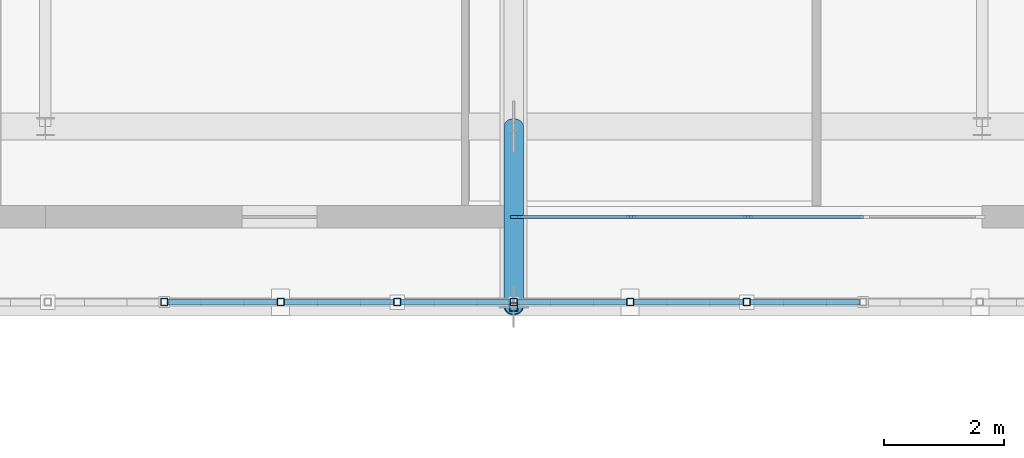
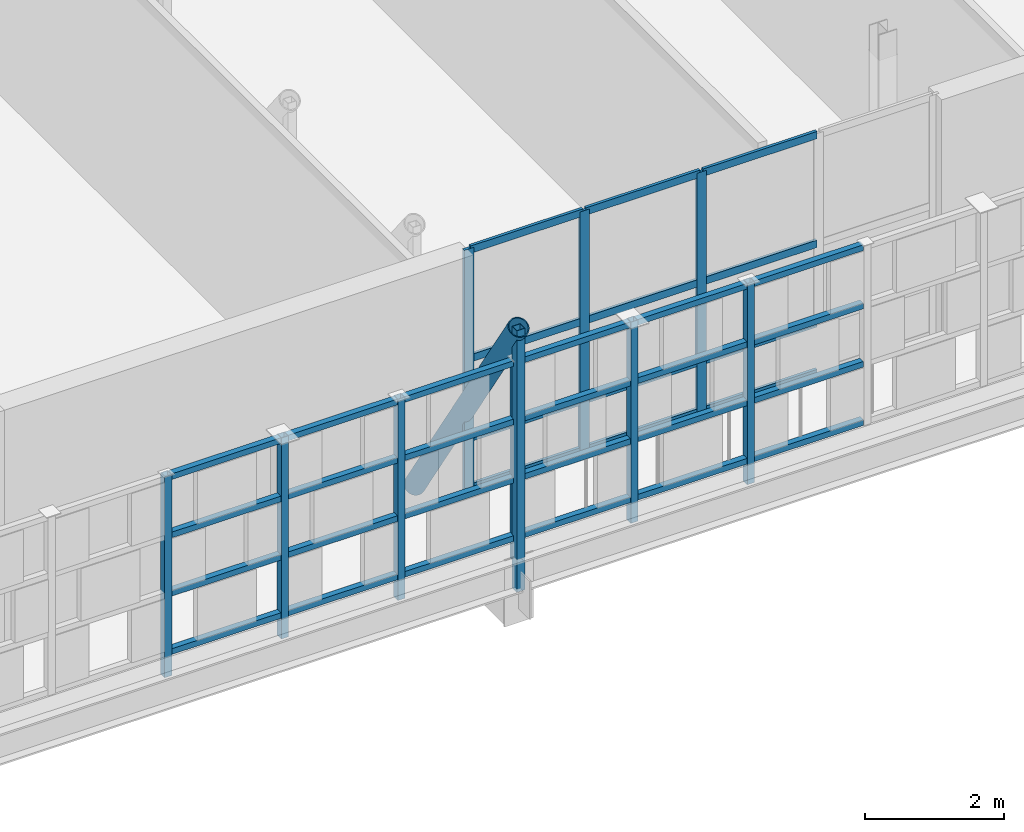
# One storey, part 23 of 89: 47 members, 1 element without a shape of its own.
"""IFC4 building model written with IfcOpenShell, lengths in metres."""

import ifcopenshell
import ifcopenshell.guid

model = None  # the IFC model being written
_history = None  # IfcOwnerHistory: only IFC2X3 demands one
_inside = {}  # id of a spatial element -> (the spatial element, [elements in it])
_under = {}  # id of a project, library or spatial element -> (it, [spatial elements below it])
_declared = {}  # id of a project -> (the project, [libraries it declares])
_typed = {}  # id of a type object -> (the type object, [elements of that type])
_made_of = {}  # id of a material, layer set ... -> (it, [elements and type objects made of it])


def new_model(schema):
    """Start an empty IFC model of exactly this schema.

    Asked for "IFC4X3", IfcOpenShell would pick the latest addendum, in which some entities
    have other attributes; the version numbers below select the first issue.
    IFC2X3 requires an IfcOwnerHistory on every rooted entity: one is made here for all.
    """
    global model, _history
    if schema == "IFC4X3":
        model = ifcopenshell.file(schema_version=(4, 3, 0, 0))
    else:
        model = ifcopenshell.file(schema=schema)
    _inside.clear()
    _under.clear()
    _declared.clear()
    _typed.clear()
    _made_of.clear()
    _history = None
    if model.schema == "IFC2X3":
        org = make("IfcOrganization", Name="unknown")
        user = make(
            "IfcPersonAndOrganization",
            ThePerson=make("IfcPerson", FamilyName="unknown"),
            TheOrganization=org,
        )
        app = make(
            "IfcApplication",
            ApplicationDeveloper=org,
            Version="unknown",
            ApplicationFullName="unknown",
            ApplicationIdentifier="unknown",
        )
        _history = make(
            "IfcOwnerHistory",
            OwningUser=user,
            OwningApplication=app,
            ChangeAction="ADDED",
            CreationDate=0,
        )
    return model


def make(cls, **values):
    """One entity of the class cls with the attributes given. An attribute that is None is left unset."""
    return model.create_entity(
        cls, **{name: value for name, value in values.items() if value is not None}
    )


def rooted(cls, **values):
    """An entity with a GlobalId (a new one), such as an element, a storey or a relation."""
    return make(cls, GlobalId=ifcopenshell.guid.new(), OwnerHistory=_history, **values)


def si_unit(unit_type, name, prefix=None):
    """IfcSIUnit, for example si_unit("LENGTHUNIT", "METRE", prefix="MILLI")."""
    return make("IfcSIUnit", UnitType=unit_type, Prefix=prefix, Name=name)


def assignment(units):
    """IfcUnitAssignment: the units of a project."""
    return None if units is None else make("IfcUnitAssignment", Units=units)


def point(xyz):
    """IfcCartesianPoint."""
    return None if xyz is None else make("IfcCartesianPoint", Coordinates=xyz)


def direction(xyz):
    """IfcDirection."""
    return None if xyz is None else make("IfcDirection", DirectionRatios=xyz)


def frame(location, z_axis=None, x_axis=None):
    """IfcAxis2Placement3D, a coordinate frame: its origin and axes. An axis left out is left unset."""
    return make(
        "IfcAxis2Placement3D",
        Location=point(location),
        Axis=direction(z_axis),
        RefDirection=direction(x_axis),
    )


def frame_2d(location, x_axis=None):
    """IfcAxis2Placement2D, a coordinate frame in the plane: its origin and x axis."""
    return make(
        "IfcAxis2Placement2D", Location=point(location), RefDirection=direction(x_axis)
    )


def origin():
    """The frame at (0, 0, 0) with its axes left unset."""
    return frame((0.0, 0.0, 0.0))


def origin_2d():
    """The frame at (0, 0) in the plane with its x axis left unset."""
    return frame_2d((0.0, 0.0))


def place(relative_to, where):
    """IfcLocalPlacement: puts the frame where relative to a parent placement (None: the world)."""
    return make(
        "IfcLocalPlacement", PlacementRelTo=relative_to, RelativePlacement=where
    )


def context(
    kind, dimensions, precision=None, world=None, true_north=None, identifier=None
):
    """IfcGeometricRepresentationContext, for example the 3D "Model" context."""
    return make(
        "IfcGeometricRepresentationContext",
        ContextIdentifier=identifier,
        ContextType=kind,
        CoordinateSpaceDimension=dimensions,
        Precision=precision,
        WorldCoordinateSystem=world,
        TrueNorth=true_north,
    )


def subcontext(parent, identifier, kind, view, scale=None):
    """IfcGeometricRepresentationSubContext, for example "Body" below "Model"."""
    return make(
        "IfcGeometricRepresentationSubContext",
        ContextIdentifier=identifier,
        ContextType=kind,
        ParentContext=parent,
        TargetScale=scale,
        TargetView=view,
    )


def project(units=None, contexts=None):
    """IfcProject with its units and contexts."""
    return rooted(
        "IfcProject",
        Name="project",
        RepresentationContexts=contexts,
        UnitsInContext=assignment(units),
    )


def spatial(cls, under=None, at=None, **own):
    """A site, building, storey or space (cls), placed at a placement, below another one or the project."""
    s = rooted(cls, ObjectPlacement=at, **own)
    if under is not None:
        _under.setdefault(under.id(), (under, []))[1].append(s)
    return s


def profile(cls, at=None, kind="AREA", **sizes):
    """A parametric profile (cls). Its sizes go by their IFC names, for example OverallWidth=200.0."""
    return make(cls, ProfileType=kind, Position=at, **sizes)


def rectangle(**sizes):
    """IfcRectangleProfileDef."""
    return profile("IfcRectangleProfileDef", **sizes)


def hollow_rectangle(**sizes):
    """IfcRectangleHollowProfileDef."""
    return profile("IfcRectangleHollowProfileDef", **sizes)


def hollow_circle(**sizes):
    """IfcCircleHollowProfileDef."""
    return profile("IfcCircleHollowProfileDef", **sizes)


def extrude(swept, where, along, depth):
    """IfcExtrudedAreaSolid: the profile swept, set in the frame where, extruded along a direction by depth."""
    return make(
        "IfcExtrudedAreaSolid",
        SweptArea=swept,
        Position=where,
        ExtrudedDirection=direction(along),
        Depth=depth,
    )


def shape(context_of_items, identifier, shape_type, items):
    """IfcShapeRepresentation: the items that make up one representation, for example the "Body"."""
    return make(
        "IfcShapeRepresentation",
        ContextOfItems=context_of_items,
        RepresentationIdentifier=identifier,
        RepresentationType=shape_type,
        Items=items,
    )


def material(Name=None, Category=None):
    """IfcMaterial."""
    return make("IfcMaterial", Name=Name, Category=Category)


def layer(
    of_material, thickness, ventilated=None, Name=None, Category=None, Priority=None
):
    """IfcMaterialLayer: one layer of a wall or slab, of a material (None: an air gap)."""
    return make(
        "IfcMaterialLayer",
        Material=of_material,
        LayerThickness=thickness,
        IsVentilated=ventilated,
        Name=Name,
        Category=Category,
        Priority=Priority,
    )


def layer_set(layers, Name=None):
    """IfcMaterialLayerSet."""
    return make("IfcMaterialLayerSet", MaterialLayers=layers, LayerSetName=Name)


def material_profile(
    of_material, cross_section, Name=None, Category=None, Priority=None
):
    """IfcMaterialProfile: a cross section and its material."""
    return make(
        "IfcMaterialProfile",
        Name=Name,
        Material=of_material,
        Profile=cross_section,
        Priority=Priority,
        Category=Category,
    )


def profile_set(profiles, Name=None, composite=None):
    """IfcMaterialProfileSet."""
    return make(
        "IfcMaterialProfileSet",
        Name=Name,
        MaterialProfiles=profiles,
        CompositeProfile=composite,
    )


def made_of(thing, what):
    """Note that an element or type object is made of a material, layer set ...; save() writes the relation."""
    if what is not None:
        _made_of.setdefault(what.id(), (what, []))[1].append(thing)
    return thing


def type_object(cls, material=None, **own):
    """A type object (cls), such as IfcWallType, which elements share."""
    return made_of(rooted(cls, **own), material)


def element(
    cls,
    number,
    at=None,
    inside=None,
    cuts=None,
    type_object=None,
    material=None,
    context=None,
    identifier="Body",
    shape_type=None,
    held_by="IfcProductDefinitionShape",
    body=None,
    shapes=None,
    **own,
):
    """One element of the class cls, such as IfcWall. Its Tag is "e" and its number.

    at: its placement. inside: the storey or other place that contains it. cuts: it is an
    opening in that element (IfcRelVoidsElement). A single representation is given by context,
    identifier, shape_type and body (its items); several are given by shapes. held_by: the class
    of the entity that holds the representations. save() writes the other relations.
    """
    e = rooted(cls, Tag="e%d" % number, ObjectPlacement=at, **own)
    if body is not None:
        shapes = [shape(context, identifier, shape_type, body)]
    if shapes is not None:
        e.Representation = make(held_by, Representations=shapes)
    if inside is not None:
        _inside.setdefault(inside.id(), (inside, []))[1].append(e)
    if cuts is not None:
        rooted(
            "IfcRelVoidsElement", RelatingBuildingElement=cuts, RelatedOpeningElement=e
        )
    if type_object is not None:
        _typed.setdefault(type_object.id(), (type_object, []))[1].append(e)
    return made_of(e, material)


def aggregate(whole, parts):
    """IfcRelAggregates: a whole, such as a stair, and the parts it consists of."""
    return rooted("IfcRelAggregates", RelatingObject=whole, RelatedObjects=parts)


def save(model, path):
    """Write the relations noted so far, then the file.

    IfcRelAggregates (storeys below a building ...), IfcRelContainedInSpatialStructure (elements
    in a storey), IfcRelDefinesByType, IfcRelAssociatesMaterial and IfcRelDeclares: one each for
    every whole, place, type object, material and project.
    """
    for whole, parts in _under.values():
        aggregate(whole, parts)
    for where, things in _inside.values():
        rooted(
            "IfcRelContainedInSpatialStructure",
            RelatedElements=things,
            RelatingStructure=where,
        )
    for kind, things in _typed.values():
        rooted("IfcRelDefinesByType", RelatedObjects=things, RelatingType=kind)
    for what, things in _made_of.values():
        rooted("IfcRelAssociatesMaterial", RelatedObjects=things, RelatingMaterial=what)
    for by, libraries in _declared.values():
        rooted("IfcRelDeclares", RelatingContext=by, RelatedDefinitions=libraries)
    model.write(path)


model = new_model("IFC4")

# Units and contexts
model_context = context("Model", 3, precision=1e-05, world=origin(), true_north=direction((0.0, 1.0)))
body_context = subcontext(model_context, "Body", "Model", "MODEL_VIEW")
ifc_project = project(units=[si_unit("LENGTHUNIT", "METRE"), si_unit("AREAUNIT", "SQUARE_METRE"), si_unit("VOLUMEUNIT", "CUBIC_METRE"), si_unit("PLANEANGLEUNIT", "RADIAN"), si_unit("MASSUNIT", "GRAM", prefix="KILO")], contexts=[model_context])

# Site, building, storey
site_placement = place(None, origin())
site = spatial("IfcSite", under=ifc_project, at=site_placement, CompositionType="ELEMENT")
building_placement = place(site_placement, origin())
building = spatial("IfcBuilding", under=site, at=building_placement, Name="Celorna Specialist Clinic", CompositionType="ELEMENT")
storey_placement = place(building_placement, frame((0.0, 0.0, 14.10009765625)))
storey = spatial("IfcBuildingStorey", under=building, at=storey_placement, Name="L03", CompositionType="ELEMENT", Elevation=14.10009765625)

# Members
ifc_material_1 = material(Name="Steel S355", Category="steel")
ifc_material_profile_1 = material_profile(ifc_material_1, hollow_circle(Radius=0.161865234375, WallThickness=0.01611328125, at=origin_2d()), Name="CHS 323.9x16")
ifc_profile_set_1 = profile_set([ifc_material_profile_1], Name="Steel S355")
member_type_1 = type_object("IfcMemberType", Name="MB-05", PredefinedType="BRACE", material=ifc_profile_set_1)
member_1_placement = place(storey_placement, frame((70.199951171875, 5.699951171875, 3.764892578125), z_axis=(0.0, 0.546259644245, -0.837615903066), x_axis=(-1.0, 0.0, 0.0)))
element("IfcMember", 1, at=member_1_placement, inside=storey, type_object=member_type_1, Name="Cantilever Pratt truss web diagonal WP-044-WP-050", PredefinedType="BRACE", context=body_context, shape_type="SweptSolid", body=[
    extrude(hollow_circle(Radius=0.161865234375, WallThickness=0.01611328125, at=origin_2d()), origin(), (0.0, 0.0, 1.0), 5.491943359375),
])
ifc_material_profile_2 = material_profile(ifc_material_1, hollow_rectangle(XDim=0.139892578125, YDim=0.139892578125, WallThickness=0.008056640625, at=origin_2d()), Name="SHS 140x140x8")
ifc_profile_set_2 = profile_set([ifc_material_profile_2], Name="Steel S355")
member_type_2 = type_object("IfcMemberType", Name="MB-10", PredefinedType="CHORD", material=ifc_profile_set_2)
member_2_placement = place(storey_placement, frame((70.199951171875, 5.699951171875, -0.835205078125), z_axis=(0.0, 0.0, 1.0), x_axis=(1.0, 0.0, 0.0)))
element("IfcMember", 2, at=member_2_placement, inside=storey, type_object=member_type_2, Name="Cantilever Pratt truss vertical post WP-039-WP-044", PredefinedType="CHORD", context=body_context, shape_type="SweptSolid", body=[
    extrude(hollow_rectangle(XDim=0.139892578125, YDim=0.139892578125, WallThickness=0.008056640625, at=origin_2d()), origin(), (0.0, 0.0, 1.0), 4.60009765625),
])
ifc_material_profile_3 = material_profile(ifc_material_1, hollow_rectangle(XDim=0.1201171875, YDim=0.1201171875, WallThickness=0.008056640625, at=origin_2d()), Name="SHS 120x120x8")
ifc_profile_set_3 = profile_set([ifc_material_profile_3], Name="Steel S355")
member_type_3 = type_object("IfcMemberType", Name="MB-11", PredefinedType="STUD", material=ifc_profile_set_3)
for number, where, z_axis, x_axis, name in (
    (3, (64.3798828125, 5.780029296875, -0.360107421875), (0.0, 0.0, 1.0), (1.0, 0.0, 0.0), "Perforated screen steel post #87"),
    (4, (66.320068359375, 5.780029296875, -0.360107421875), (0.0, 0.0, 1.0), (1.0, 0.0, 0.0), "Perforated screen steel post #88"),
    (5, (68.260009765625, 5.780029296875, -0.360107421875), (0.0, 0.0, 1.0), (1.0, 0.0, 0.0), "Perforated screen steel post #89"),
    (6, (70.199951171875, 5.780029296875, -0.360107421875), (0.0, 0.0, 1.0), (1.0, 0.0, 0.0), "Perforated screen steel post #90"),
    (7, (72.139892578125, 5.780029296875, -0.360107421875), (0.0, 0.0, 1.0), (1.0, 0.0, 0.0), "Perforated screen steel post #91"),
    (8, (74.080078125, 5.780029296875, -0.360107421875), (0.0, 0.0, 1.0), (1.0, 0.0, 0.0), "Perforated screen steel post #92"),
):
    element("IfcMember", number, at=place(storey_placement, frame(where, z_axis=z_axis, x_axis=x_axis)), inside=storey, type_object=member_type_3, Name=name, PredefinedType="STUD", context=body_context, shape_type="SweptSolid", body=[
        extrude(hollow_rectangle(XDim=0.1201171875, YDim=0.1201171875, WallThickness=0.008056640625, at=origin_2d()), origin(), (0.0, 0.0, 1.0), 3.5400390625),
    ])
ifc_material_profile_4 = material_profile(ifc_material_1, hollow_rectangle(XDim=0.10009765625, YDim=0.10009765625, WallThickness=0.006103515625, at=origin_2d()), Name="SHS 100x100x6")
ifc_profile_set_4 = profile_set([ifc_material_profile_4], Name="Steel S355")
member_type_4 = type_object("IfcMemberType", Name="MB-12", PredefinedType="STUD", material=ifc_profile_set_4)
for number, where, z_axis, x_axis, name in (
    (9, (64.43994140625, 5.780029296875, 0.0498046875), (1.0, 0.0, 0.0), (0.0, 1.0, 0.0), "Perforated screen rail #119"),
    (10, (64.43994140625, 5.780029296875, 1.07666015625), (1.0, 0.0, 0.0), (0.0, 1.0, 0.0), "Perforated screen rail #120"),
    (11, (64.43994140625, 5.780029296875, 2.103271484375), (1.0, 0.0, 0.0), (0.0, 1.0, 0.0), "Perforated screen rail #121"),
    (12, (64.43994140625, 5.780029296875, 3.1298828125), (1.0, 0.0, 0.0), (0.0, 1.0, 0.0), "Perforated screen rail #122"),
    (13, (66.3798828125, 5.780029296875, 0.0498046875), (1.0, 0.0, 0.0), (0.0, 1.0, 0.0), "Perforated screen rail #123"),
    (14, (66.3798828125, 5.780029296875, 1.07666015625), (1.0, 0.0, 0.0), (0.0, 1.0, 0.0), "Perforated screen rail #124"),
    (15, (66.3798828125, 5.780029296875, 2.103271484375), (1.0, 0.0, 0.0), (0.0, 1.0, 0.0), "Perforated screen rail #125"),
    (16, (66.3798828125, 5.780029296875, 3.1298828125), (1.0, 0.0, 0.0), (0.0, 1.0, 0.0), "Perforated screen rail #126"),
):
    element("IfcMember", number, at=place(storey_placement, frame(where, z_axis=z_axis, x_axis=x_axis)), inside=storey, type_object=member_type_4, Name=name, PredefinedType="STUD", context=body_context, shape_type="SweptSolid", body=[
        extrude(hollow_rectangle(XDim=0.10009765625, YDim=0.10009765625, WallThickness=0.006103515625, at=origin_2d()), origin(), (0.0, 0.0, 1.0), 1.820068359375),
    ])
for number, where, z_axis, x_axis, name in (
    (17, (68.320068359375, 5.780029296875, 0.0498046875), (1.0, 0.0, 0.0), (0.0, 1.0, 0.0), "Perforated screen rail #127"),
    (18, (68.320068359375, 5.780029296875, 1.07666015625), (1.0, 0.0, 0.0), (0.0, 1.0, 0.0), "Perforated screen rail #128"),
    (19, (68.320068359375, 5.780029296875, 2.103271484375), (1.0, 0.0, 0.0), (0.0, 1.0, 0.0), "Perforated screen rail #129"),
    (20, (68.320068359375, 5.780029296875, 3.1298828125), (1.0, 0.0, 0.0), (0.0, 1.0, 0.0), "Perforated screen rail #130"),
):
    element("IfcMember", number, at=place(storey_placement, frame(where, z_axis=z_axis, x_axis=x_axis)), inside=storey, type_object=member_type_4, Name=name, PredefinedType="STUD", context=body_context, shape_type="SweptSolid", body=[
        extrude(hollow_rectangle(XDim=0.10009765625, YDim=0.10009765625, WallThickness=0.006103515625, at=origin_2d()), origin(), (0.0, 0.0, 1.0), 1.81982421875),
    ])
for number, where, z_axis, x_axis, name in (
    (21, (70.260009765625, 5.780029296875, 0.0498046875), (1.0, 0.0, 0.0), (0.0, 1.0, 0.0), "Perforated screen rail #131"),
    (22, (70.260009765625, 5.780029296875, 1.07666015625), (1.0, 0.0, 0.0), (0.0, 1.0, 0.0), "Perforated screen rail #132"),
    (23, (70.260009765625, 5.780029296875, 2.103271484375), (1.0, 0.0, 0.0), (0.0, 1.0, 0.0), "Perforated screen rail #133"),
    (24, (70.260009765625, 5.780029296875, 3.1298828125), (1.0, 0.0, 0.0), (0.0, 1.0, 0.0), "Perforated screen rail #134"),
    (25, (72.199951171875, 5.780029296875, 0.0498046875), (1.0, 0.0, 0.0), (0.0, 1.0, 0.0), "Perforated screen rail #135"),
    (26, (72.199951171875, 5.780029296875, 1.07666015625), (1.0, 0.0, 0.0), (0.0, 1.0, 0.0), "Perforated screen rail #136"),
    (27, (72.199951171875, 5.780029296875, 2.103271484375), (1.0, 0.0, 0.0), (0.0, 1.0, 0.0), "Perforated screen rail #137"),
    (28, (72.199951171875, 5.780029296875, 3.1298828125), (1.0, 0.0, 0.0), (0.0, 1.0, 0.0), "Perforated screen rail #138"),
    (29, (74.139892578125, 5.780029296875, 0.0498046875), (1.0, 0.0, 0.0), (0.0, 1.0, 0.0), "Perforated screen rail #139"),
    (30, (74.139892578125, 5.780029296875, 1.07666015625), (1.0, 0.0, 0.0), (0.0, 1.0, 0.0), "Perforated screen rail #140"),
    (31, (74.139892578125, 5.780029296875, 2.103271484375), (1.0, 0.0, 0.0), (0.0, 1.0, 0.0), "Perforated screen rail #141"),
    (32, (74.139892578125, 5.780029296875, 3.1298828125), (1.0, 0.0, 0.0), (0.0, 1.0, 0.0), "Perforated screen rail #142"),
):
    element("IfcMember", number, at=place(storey_placement, frame(where, z_axis=z_axis, x_axis=x_axis)), inside=storey, type_object=member_type_4, Name=name, PredefinedType="STUD", context=body_context, shape_type="SweptSolid", body=[
        extrude(hollow_rectangle(XDim=0.10009765625, YDim=0.10009765625, WallThickness=0.006103515625, at=origin_2d()), origin(), (0.0, 0.0, 1.0), 1.820068359375),
    ])

# Curtain wall, members
ifc_material_2 = material(Name="Thermally broken aluminium and solar-control glass curtain wall", Category="aluminium")
ifc_layer = layer(ifc_material_2, 0.159912109375, Name="Thermally broken aluminium and solar-control glass curtain wall")
ifc_layer_set = layer_set([ifc_layer], Name="Thermally broken aluminium and solar-control glass curtain wall")
curtain_wall_type = type_object("IfcCurtainWallType", Name="CW-68", PredefinedType="NOTDEFINED", material=ifc_layer_set)
curtain_wall_placement = place(storey_placement, origin())
curtain_wall = element("IfcCurtainWall", 33, at=curtain_wall_placement, inside=storey, type_object=curtain_wall_type, Name="Curtain wall CW-68 #197", PredefinedType="NOTDEFINED")
ifc_material_3 = material(Name="Anodized aluminium mullion", Category="aluminium")
ifc_material_profile_5 = material_profile(ifc_material_3, rectangle(XDim=0.050048828125, YDim=0.159912109375, at=origin_2d()), Name="ALU MULLION 50x160")
ifc_profile_set_5 = profile_set([ifc_material_profile_5], Name="Anodized aluminium mullion")
member_type_5 = type_object("IfcMemberType", Name="ML-01", PredefinedType="MULLION", material=ifc_profile_set_5)
member_3_placement = place(storey_placement, frame((74.10009765625, 7.199951171875, 0.0), z_axis=(0.0, 0.0, 1.0), x_axis=(0.0, -1.0, 0.0)))
member_3 = element("IfcMember", 34, at=member_3_placement, type_object=member_type_5, Name="CW-68 mullion 3", PredefinedType="MULLION", context=body_context, shape_type="SweptSolid", body=[
    extrude(rectangle(XDim=0.050048828125, YDim=0.159912109375, at=origin_2d()), origin(), (0.0, 0.0, 1.0), 4.239990234375),
])
member_4_placement = place(storey_placement, frame((72.152099609375, 7.199951171875, 0.0), z_axis=(0.0, 0.0, 1.0), x_axis=(0.0, -1.0, 0.0)))
member_4 = element("IfcMember", 35, at=member_4_placement, type_object=member_type_5, Name="CW-68 mullion 4", PredefinedType="MULLION", context=body_context, shape_type="SweptSolid", body=[
    extrude(rectangle(XDim=0.050048828125, YDim=0.159912109375, at=origin_2d()), origin(), (0.0, 0.0, 1.0), 4.239990234375),
])
member_5_placement = place(storey_placement, frame((70.22900390625, 7.199951171875, 0.0), z_axis=(0.0, 0.0, 1.0), x_axis=(0.0, -1.0, 0.0)))
member_5 = element("IfcMember", 36, at=member_5_placement, type_object=member_type_5, Name="CW-68 mullion 5", PredefinedType="MULLION", context=body_context, shape_type="SweptSolid", body=[
    extrude(rectangle(XDim=0.050048828125, YDim=0.159912109375, at=origin_2d()), origin(), (0.0, 0.0, 1.0), 4.239990234375),
])
ifc_material_4 = material(Name="Anodized aluminium transom", Category="aluminium")
ifc_material_profile_6 = material_profile(ifc_material_4, rectangle(XDim=0.050048828125, YDim=0.1298828125, at=origin_2d()), Name="ALU TRANSOM 50x130")
ifc_profile_set_6 = profile_set([ifc_material_profile_6], Name="Anodized aluminium transom")
member_type_6 = type_object("IfcMemberType", Name="TR-01", PredefinedType="USERDEFINED", material=ifc_profile_set_6)
member_6_placement = place(storey_placement, frame((76.02294921875, 7.199951171875, 0.02490234375), z_axis=(-1.0, 0.0, 0.0), x_axis=(0.0, -1.0, 0.0)))
member_6 = element("IfcMember", 37, at=member_6_placement, type_object=member_type_6, Name="CW-68 transom 2.1", ObjectType="TRANSOM", PredefinedType="USERDEFINED", context=body_context, shape_type="SweptSolid", body=[
    extrude(rectangle(XDim=0.050048828125, YDim=0.1298828125, at=origin_2d()), origin(), (0.0, 0.0, 1.0), 1.89794921875),
])
member_7_placement = place(storey_placement, frame((76.02294921875, 7.199951171875, 0.89990234375), z_axis=(-1.0, 0.0, 0.0), x_axis=(0.0, -1.0, 0.0)))
member_7 = element("IfcMember", 38, at=member_7_placement, type_object=member_type_6, Name="CW-68 transom 2.2", ObjectType="TRANSOM", PredefinedType="USERDEFINED", context=body_context, shape_type="SweptSolid", body=[
    extrude(rectangle(XDim=0.050048828125, YDim=0.1298828125, at=origin_2d()), origin(), (0.0, 0.0, 1.0), 1.89794921875),
])
member_8_placement = place(storey_placement, frame((76.02294921875, 7.199951171875, 2.2998046875), z_axis=(-1.0, 0.0, 0.0), x_axis=(0.0, -1.0, 0.0)))
member_8 = element("IfcMember", 39, at=member_8_placement, type_object=member_type_6, Name="CW-68 transom 2.3", ObjectType="TRANSOM", PredefinedType="USERDEFINED", context=body_context, shape_type="SweptSolid", body=[
    extrude(rectangle(XDim=0.050048828125, YDim=0.1298828125, at=origin_2d()), origin(), (0.0, 0.0, 1.0), 1.89794921875),
])
member_9_placement = place(storey_placement, frame((76.02294921875, 7.199951171875, 4.21484375), z_axis=(-1.0, 0.0, 0.0), x_axis=(0.0, -1.0, 0.0)))
member_9 = element("IfcMember", 40, at=member_9_placement, type_object=member_type_6, Name="CW-68 transom 2.4", ObjectType="TRANSOM", PredefinedType="USERDEFINED", context=body_context, shape_type="SweptSolid", body=[
    extrude(rectangle(XDim=0.050048828125, YDim=0.1298828125, at=origin_2d()), origin(), (0.0, 0.0, 1.0), 1.89794921875),
])
member_10_placement = place(storey_placement, frame((74.074951171875, 7.199951171875, 0.02490234375), z_axis=(-1.0, 0.0, 0.0), x_axis=(0.0, -1.0, 0.0)))
member_10 = element("IfcMember", 41, at=member_10_placement, type_object=member_type_6, Name="CW-68 transom 3.1", ObjectType="TRANSOM", PredefinedType="USERDEFINED", context=body_context, shape_type="SweptSolid", body=[
    extrude(rectangle(XDim=0.050048828125, YDim=0.1298828125, at=origin_2d()), origin(), (0.0, 0.0, 1.0), 1.89794921875),
])
member_11_placement = place(storey_placement, frame((74.074951171875, 7.199951171875, 0.89990234375), z_axis=(-1.0, 0.0, 0.0), x_axis=(0.0, -1.0, 0.0)))
member_11 = element("IfcMember", 42, at=member_11_placement, type_object=member_type_6, Name="CW-68 transom 3.2", ObjectType="TRANSOM", PredefinedType="USERDEFINED", context=body_context, shape_type="SweptSolid", body=[
    extrude(rectangle(XDim=0.050048828125, YDim=0.1298828125, at=origin_2d()), origin(), (0.0, 0.0, 1.0), 1.89794921875),
])
member_12_placement = place(storey_placement, frame((74.074951171875, 7.199951171875, 2.2998046875), z_axis=(-1.0, 0.0, 0.0), x_axis=(0.0, -1.0, 0.0)))
member_12 = element("IfcMember", 43, at=member_12_placement, type_object=member_type_6, Name="CW-68 transom 3.3", ObjectType="TRANSOM", PredefinedType="USERDEFINED", context=body_context, shape_type="SweptSolid", body=[
    extrude(rectangle(XDim=0.050048828125, YDim=0.1298828125, at=origin_2d()), origin(), (0.0, 0.0, 1.0), 1.89794921875),
])
member_13_placement = place(storey_placement, frame((74.074951171875, 7.199951171875, 4.21484375), z_axis=(-1.0, 0.0, 0.0), x_axis=(0.0, -1.0, 0.0)))
member_13 = element("IfcMember", 44, at=member_13_placement, type_object=member_type_6, Name="CW-68 transom 3.4", ObjectType="TRANSOM", PredefinedType="USERDEFINED", context=body_context, shape_type="SweptSolid", body=[
    extrude(rectangle(XDim=0.050048828125, YDim=0.1298828125, at=origin_2d()), origin(), (0.0, 0.0, 1.0), 1.89794921875),
])
member_14_placement = place(storey_placement, frame((72.126953125, 7.199951171875, 0.02490234375), z_axis=(-1.0, 0.0, 0.0), x_axis=(0.0, -1.0, 0.0)))
member_14 = element("IfcMember", 45, at=member_14_placement, type_object=member_type_6, Name="CW-68 transom 4.1", ObjectType="TRANSOM", PredefinedType="USERDEFINED", context=body_context, shape_type="SweptSolid", body=[
    extrude(rectangle(XDim=0.050048828125, YDim=0.1298828125, at=origin_2d()), origin(), (0.0, 0.0, 1.0), 1.873046875),
])
member_15_placement = place(storey_placement, frame((72.126953125, 7.199951171875, 0.89990234375), z_axis=(-1.0, 0.0, 0.0), x_axis=(0.0, -1.0, 0.0)))
member_15 = element("IfcMember", 46, at=member_15_placement, type_object=member_type_6, Name="CW-68 transom 4.2", ObjectType="TRANSOM", PredefinedType="USERDEFINED", context=body_context, shape_type="SweptSolid", body=[
    extrude(rectangle(XDim=0.050048828125, YDim=0.1298828125, at=origin_2d()), origin(), (0.0, 0.0, 1.0), 1.873046875),
])
member_16_placement = place(storey_placement, frame((72.126953125, 7.199951171875, 2.2998046875), z_axis=(-1.0, 0.0, 0.0), x_axis=(0.0, -1.0, 0.0)))
member_16 = element("IfcMember", 47, at=member_16_placement, type_object=member_type_6, Name="CW-68 transom 4.3", ObjectType="TRANSOM", PredefinedType="USERDEFINED", context=body_context, shape_type="SweptSolid", body=[
    extrude(rectangle(XDim=0.050048828125, YDim=0.1298828125, at=origin_2d()), origin(), (0.0, 0.0, 1.0), 1.873046875),
])
member_17_placement = place(storey_placement, frame((72.126953125, 7.199951171875, 4.21484375), z_axis=(-1.0, 0.0, 0.0), x_axis=(0.0, -1.0, 0.0)))
member_17 = element("IfcMember", 48, at=member_17_placement, type_object=member_type_6, Name="CW-68 transom 4.4", ObjectType="TRANSOM", PredefinedType="USERDEFINED", context=body_context, shape_type="SweptSolid", body=[
    extrude(rectangle(XDim=0.050048828125, YDim=0.1298828125, at=origin_2d()), origin(), (0.0, 0.0, 1.0), 1.873046875),
])
aggregate(curtain_wall, [member_3, member_4, member_5, member_6, member_7, member_8, member_9, member_10, member_11, member_12, member_13, member_14, member_15, member_16, member_17])

save(model, "model.ifc")
